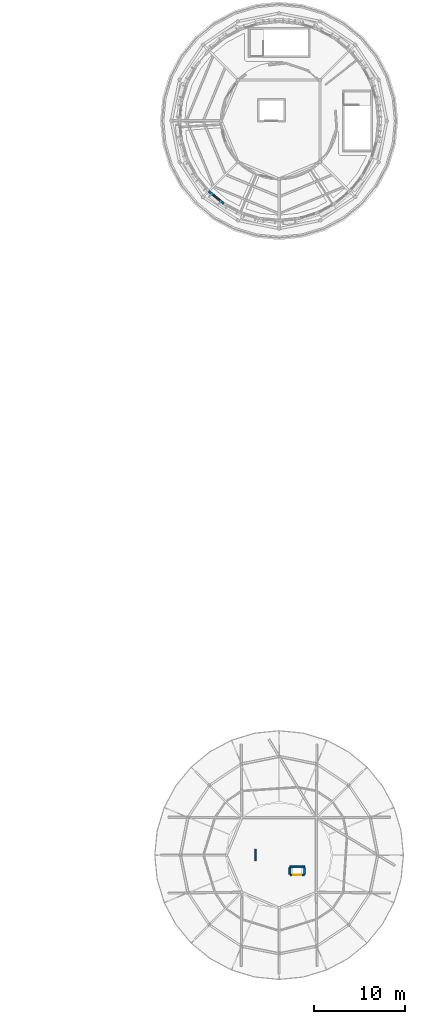
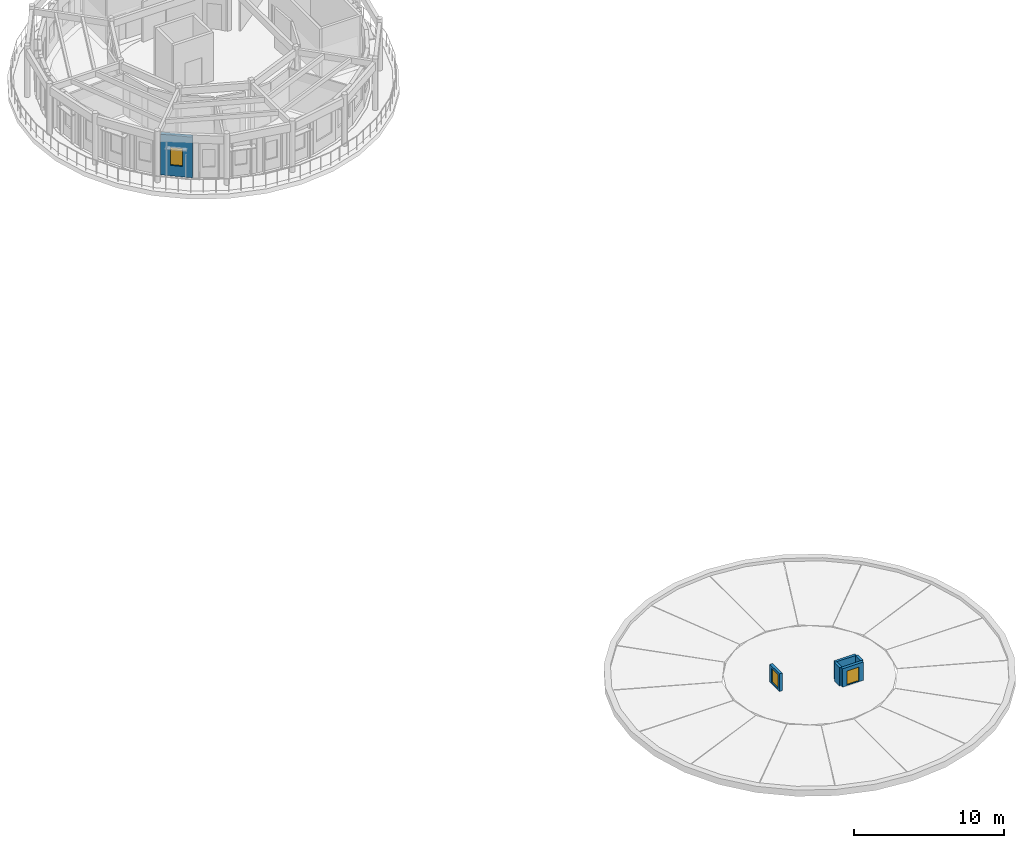
# One storey, part 23 of 37: 6 walls, 2 windows, 1 door, 3 openings.
"""IFC4 building model written with IfcOpenShell, lengths in metres."""

from ifc_helpers import new_model, si_unit, direction, frame, frame_2d, origin, place, context, subcontext, project, spatial, rectangle, extrude, material, layer, layer_set, type_object, element, fill, save


model = new_model("IFC4")

# Units and contexts
model_context = context("Model", 3, precision=1e-05, world=origin(), true_north=direction((0.0, 1.0)))
body_context = subcontext(model_context, "Body", "Model", "MODEL_VIEW")
ifc_project = project(units=[si_unit("LENGTHUNIT", "METRE"), si_unit("AREAUNIT", "SQUARE_METRE"), si_unit("VOLUMEUNIT", "CUBIC_METRE"), si_unit("PLANEANGLEUNIT", "RADIAN"), si_unit("MASSUNIT", "GRAM", prefix="KILO")], contexts=[model_context])

# Site, building, storey
site_placement = place(None, origin())
site = spatial("IfcSite", under=ifc_project, at=site_placement, CompositionType="ELEMENT")
building_placement = place(site_placement, origin())
building = spatial("IfcBuilding", under=site, at=building_placement, Name="Aldenvaro Health Centre", CompositionType="ELEMENT")
storey_placement = place(building_placement, frame((0.0, 0.0, 12.949951171875)))
storey = spatial("IfcBuildingStorey", under=building, at=storey_placement, Name="L03", CompositionType="ELEMENT", Elevation=12.949951171875)

# Wall, opening, window
ifc_material_1 = material(Name="Cross-laminated timber CLT E1", Category="wood")
ifc_layer_1 = layer(ifc_material_1, 0.27001953125, Name="Cross-laminated timber CLT E1", Category="wood")
ifc_layer_set_1 = layer_set([ifc_layer_1], Name="Cross-laminated timber CLT E1")
wall_type_1 = type_object("IfcWallType", Name="WL-EXT-270", PredefinedType="ELEMENTEDWALL", material=ifc_layer_set_1)
wall_1_placement = place(storey_placement, frame((148.39990234375, 90.3701171875, 0.0), z_axis=(0.0, 0.0, 1.0), x_axis=(-0.772895091045, 0.634533827498, 0.0)))
wall_1 = element("IfcWall", 1, at=wall_1_placement, inside=storey, type_object=wall_type_1, Name="D2 L03 exterior wall 11", PredefinedType="ELEMENTEDWALL", context=body_context, shape_type="SweptSolid", body=[
    extrude(rectangle(XDim=2.152587890625, YDim=0.27001953125, at=frame_2d((1.076171875, 0.0))), origin(), (0.0, 0.0, 1.0), 3.31396484375),
])
opening_1_placement = place(wall_1_placement, frame((0.666015625, 0.0, 0.85009765625)))
opening_1 = element("IfcOpeningElement", 2, at=opening_1_placement, cuts=wall_1, Name="Opening W-01", PredefinedType="OPENING", context=body_context, shape_type="SweptSolid", body=[
    extrude(rectangle(XDim=0.820068359375, YDim=1.449951171875, at=frame_2d((0.41015625, 0.72509765625))), frame((0.0, 0.14501953125, 0.0), z_axis=(0.0, -1.0, 0.0), x_axis=(1.0, 0.0, 0.0)), (0.0, 0.0, 1.0), 0.2900390625),
])
ifc_material_2 = material(Name="Thermally Broken Aluminium Low-E Glass", Category="aluminium")
window_type_1 = type_object("IfcWindowType", Name="WN-EXT-01", PartitioningType="SINGLE_PANEL", PredefinedType="WINDOW", material=ifc_material_2)
window_1_placement = place(opening_1_placement, origin())
window_1 = element("IfcWindow", 3, at=window_1_placement, inside=storey, type_object=window_type_1, Name="D2 L03 clinical window 11", OverallHeight=1.449951171875, OverallWidth=0.820068359375, PartitioningType="SINGLE_PANEL", PredefinedType="WINDOW", context=body_context, shape_type="SweptSolid", body=[
    extrude(rectangle(XDim=0.820068359375, YDim=1.449951171875, at=frame_2d((0.41015625, 0.72509765625))), frame((0.0, 0.030029296875, 0.0), z_axis=(0.0, -1.0, 0.0), x_axis=(1.0, 0.0, 0.0)), (0.0, 0.0, 1.0), 0.06005859375),
])
fill(opening_1, window_1)

# Walls
ifc_material_3 = material(Name="Concrete f'c 35 MPa", Category="concrete")
ifc_layer_2 = layer(ifc_material_3, 0.195068359375, Name="Concrete f'c 35 MPa", Category="concrete")
ifc_layer_set_2 = layer_set([ifc_layer_2], Name="Concrete f'c 35 MPa")
wall_type_2 = type_object("IfcWallType", Name="WL-PAR-195", PredefinedType="PARAPET", material=ifc_layer_set_2)
wall_2_placement = place(storey_placement, frame((155.68994140625, 17.199951171875, 0.795166015625), z_axis=(0.0, 0.0, 1.0), x_axis=(1.0, 0.0, 0.0)))
element("IfcWall", 4, at=wall_2_placement, inside=storey, type_object=wall_type_2, Name="D6 Roof Access Curb Wall N-4", PredefinedType="PARAPET", context=body_context, shape_type="SweptSolid", body=[
    extrude(rectangle(XDim=1.6201171875, YDim=0.195068359375, at=frame_2d((0.81005859375, 0.0))), origin(), (0.0, 0.0, 1.0), 1.5),
])
for number, where, z_axis, x_axis, name in (
    (5, (155.68994140625, 16.409912109375, 0.795166015625), (0.0, 0.0, 1.0), (0.0, 1.0, 0.0), "D6 Roof Access Curb Wall W-4"),
    (6, (157.31005859375, 17.10009765625, 0.795166015625), (0.0, 0.0, 1.0), (0.0, -1.0, 0.0), "D6 Roof Access Curb Wall E-4"),
):
    element("IfcWall", number, at=place(storey_placement, frame(where, z_axis=z_axis, x_axis=x_axis)), inside=storey, type_object=wall_type_2, Name=name, PredefinedType="PARAPET", context=body_context, shape_type="SweptSolid", body=[
        extrude(rectangle(XDim=0.690185546875, YDim=0.195068359375, at=frame_2d((0.34521484375, 0.0))), origin(), (0.0, 0.0, 1.0), 1.5),
    ])

# Wall, opening, window
ifc_layer_3 = layer(ifc_material_3, 0.219970703125, Name="Concrete f'c 35 MPa", Category="concrete")
ifc_layer_set_3 = layer_set([ifc_layer_3], Name="Concrete f'c 35 MPa")
wall_type_3 = type_object("IfcWallType", Name="WL-PAR-220", PredefinedType="PARAPET", material=ifc_layer_set_3)
wall_3_placement = place(storey_placement, frame((151.89990234375, 17.85498046875, 0.795166015625), z_axis=(0.0, 0.0, 1.0), x_axis=(0.0, 1.0, 0.0)))
wall_3 = element("IfcWall", 7, at=wall_3_placement, inside=storey, type_object=wall_type_3, Name="D6 Clinical Clerestory Skylight Curb 5", PredefinedType="PARAPET", context=body_context, shape_type="SweptSolid", body=[
    extrude(rectangle(XDim=1.2900390625, YDim=0.219970703125, at=frame_2d((0.64501953125, 0.0))), origin(), (0.0, 0.0, 1.0), 1.449951171875),
])
opening_2_placement = place(wall_3_placement, frame((0.219970703125, 0.0, 0.1201171875)))
opening_2 = element("IfcOpeningElement", 8, at=opening_2_placement, cuts=wall_3, Name="Opening SK-01", PredefinedType="OPENING", context=body_context, shape_type="SweptSolid", body=[
    extrude(rectangle(XDim=0.85009765625, YDim=1.14990234375, at=frame_2d((0.425048828125, 0.574951171875))), frame((0.0, 0.1201171875, 0.0), z_axis=(0.0, -1.0, 0.0), x_axis=(1.0, 0.0, 0.0)), (0.0, 0.0, 1.0), 0.239990234375),
])
ifc_material_4 = material(Name="Laminated Solar Control Skylight Glass", Category="glass")
window_type_2 = type_object("IfcWindowType", Name="WN-SKY-01", PartitioningType="SINGLE_PANEL", PredefinedType="SKYLIGHT", material=ifc_material_4)
window_2_placement = place(opening_2_placement, origin())
window_2 = element("IfcWindow", 9, at=window_2_placement, inside=storey, type_object=window_type_2, Name="D6 Clinical Clerestory Skylight 5", OverallHeight=1.14990234375, OverallWidth=0.85009765625, PartitioningType="SINGLE_PANEL", PredefinedType="SKYLIGHT", context=body_context, shape_type="SweptSolid", body=[
    extrude(rectangle(XDim=0.85009765625, YDim=1.14990234375, at=frame_2d((0.425048828125, 0.574951171875))), frame((0.0, 0.030029296875, 0.0), z_axis=(0.0, -1.0, 0.0), x_axis=(1.0, 0.0, 0.0)), (0.0, 0.0, 1.0), 0.06005859375),
])
fill(opening_2, window_2)

# Wall, opening, door
wall_4_placement = place(storey_placement, frame((157.31005859375, 16.300048828125, 0.795166015625), z_axis=(0.0, 0.0, 1.0), x_axis=(-1.0, 0.0, 0.0)))
wall_4 = element("IfcWall", 10, at=wall_4_placement, inside=storey, type_object=wall_type_3, Name="D6 Roof Access Curb Wall S-4", PredefinedType="PARAPET", context=body_context, shape_type="SweptSolid", body=[
    extrude(rectangle(XDim=1.6201171875, YDim=0.219970703125, at=frame_2d((0.81005859375, 0.0))), origin(), (0.0, 0.0, 1.0), 1.5),
])
opening_3_placement = place(wall_4_placement, frame((0.35009765625, 0.0, 0.050048828125)))
opening_3 = element("IfcOpeningElement", 11, at=opening_3_placement, cuts=wall_4, Name="Opening HT-02", PredefinedType="OPENING", context=body_context, shape_type="SweptSolid", body=[
    extrude(rectangle(XDim=0.919921875, YDim=1.14990234375, at=frame_2d((0.4599609375, 0.574951171875))), frame((0.0, 0.1201171875, 0.0), z_axis=(0.0, -1.0, 0.0), x_axis=(1.0, 0.0, 0.0)), (0.0, 0.0, 1.0), 0.239990234375),
])
ifc_material_5 = material(Name="Insulated Powder-Coated Aluminium", Category="aluminium")
door_type = type_object("IfcDoorType", Name="DR-TRAP-02", OperationType="NOTDEFINED", PredefinedType="TRAPDOOR", material=ifc_material_5)
door_placement = place(opening_3_placement, origin())
door = element("IfcDoor", 12, at=door_placement, inside=storey, type_object=door_type, Name="D6 Roof Maintenance Access Hatch 4", OperationType="SINGLE_SWING_RIGHT", OverallHeight=1.14990234375, OverallWidth=0.919921875, PredefinedType="TRAPDOOR", context=body_context, shape_type="SweptSolid", body=[
    extrude(rectangle(XDim=0.919921875, YDim=1.14990234375, at=frame_2d((0.4599609375, 0.574951171875))), frame((0.0, 0.02490234375, 0.0), z_axis=(0.0, -1.0, 0.0), x_axis=(1.0, 0.0, 0.0)), (0.0, 0.0, 1.0), 0.050048828125),
])
fill(opening_3, door)

save(model, "model.ifc")
